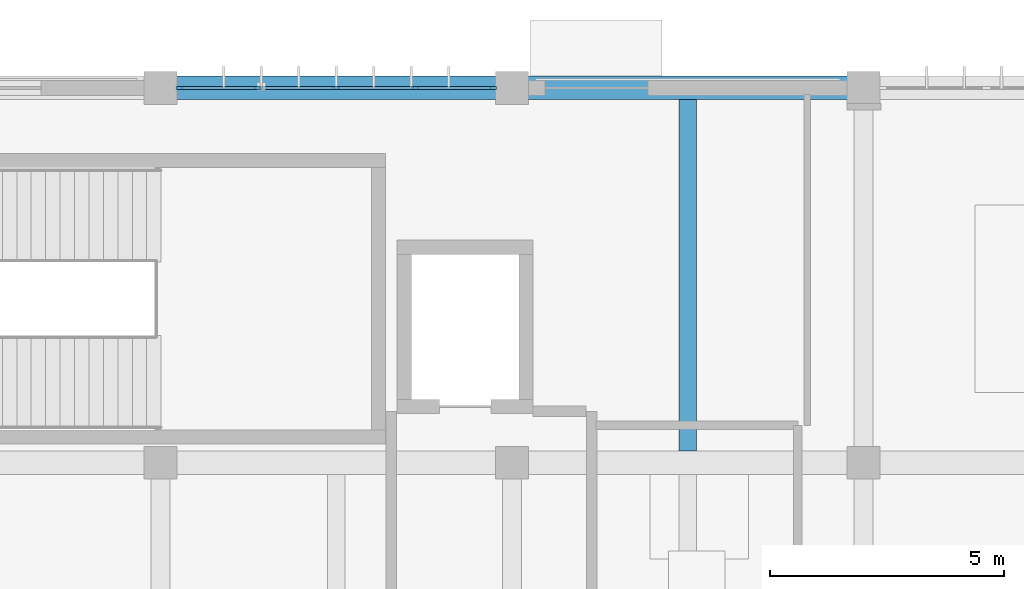
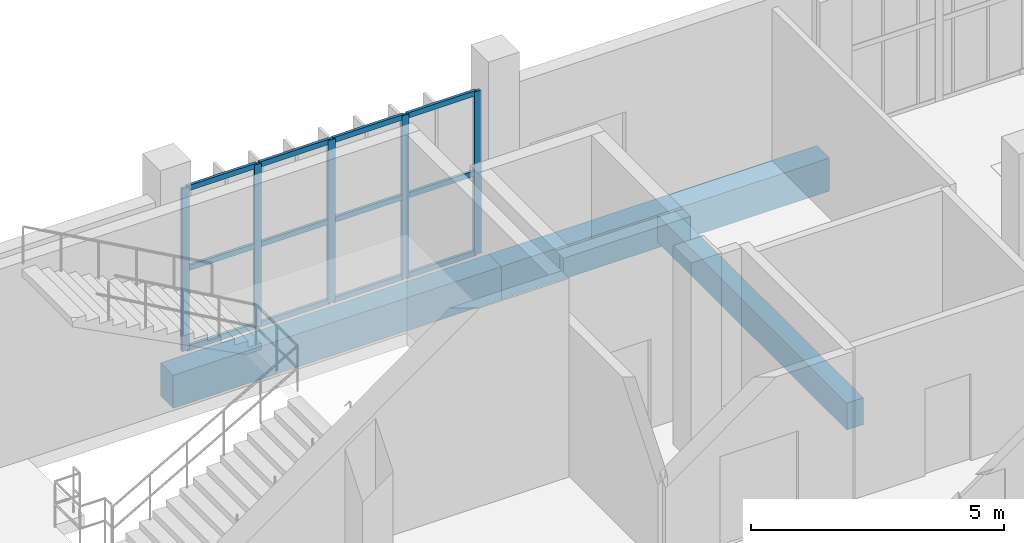
# One storey, part 15 of 72: 17 members, 3 beams, 1 element without a shape of its own.
"""IFC4 building model written with IfcOpenShell, lengths in metres."""

from ifc_helpers import new_model, si_unit, direction, frame, origin, origin_2d, place, context, subcontext, project, spatial, rectangle, extrude, material, material_profile, profile_set, type_object, element, aggregate, save


model = new_model("IFC4")

# Units and contexts
model_context = context("Model", 3, precision=1e-05, world=origin(), true_north=direction((0.0, 1.0)))
body_context = subcontext(model_context, "Body", "Model", "MODEL_VIEW")
ifc_project = project(units=[si_unit("LENGTHUNIT", "METRE"), si_unit("AREAUNIT", "SQUARE_METRE"), si_unit("VOLUMEUNIT", "CUBIC_METRE"), si_unit("PLANEANGLEUNIT", "RADIAN"), si_unit("MASSUNIT", "GRAM", prefix="KILO")], contexts=[model_context])

# Site, building, storey
site_placement = place(None, origin())
site = spatial("IfcSite", under=ifc_project, at=site_placement, CompositionType="ELEMENT")
building_placement = place(site_placement, origin())
building = spatial("IfcBuilding", under=site, at=building_placement, Name="Vourika Railside Aquatics Centre", CompositionType="ELEMENT")
storey_placement = place(building_placement, origin())
storey = spatial("IfcBuildingStorey", under=building, at=storey_placement, Name="L00", CompositionType="ELEMENT", Elevation=0.0)

# Beams
ifc_material_1 = material(Name="Concrete C35/45", Category="concrete")
ifc_material_profile_1 = material_profile(ifc_material_1, rectangle(XDim=0.3798828125, YDim=0.64990234375, at=origin_2d()), Name="RC 380x650")
ifc_profile_set_1 = profile_set([ifc_material_profile_1], Name="Concrete C35/45")
beam_type_1 = type_object("IfcBeamType", Name="BM-SEC-380x650", PredefinedType="JOIST", material=ifc_profile_set_1)
beam_placement = place(storey_placement, frame((62.25, 108.25, -0.64501953125), z_axis=(0.0, 1.0, 0.0), x_axis=(-1.0, 0.0, 0.0)))
element("IfcBeam", 1, at=beam_placement, inside=storey, type_object=beam_type_1, Name="Secondary Joist JY-L00-465", PredefinedType="JOIST", context=body_context, shape_type="SweptSolid", body=[
    extrude(rectangle(XDim=0.3798828125, YDim=0.64990234375, at=origin_2d()), origin(), (0.0, 0.0, 1.0), 7.5),
])
ifc_material_2 = material(Name="Concrete C40/50", Category="concrete")
ifc_material_profile_2 = material_profile(ifc_material_2, rectangle(XDim=0.5, YDim=0.800048828125, at=origin_2d()), Name="RC 500x800")
ifc_profile_set_2 = profile_set([ifc_material_profile_2], Name="Concrete C40/50")
beam_type_2 = type_object("IfcBeamType", Name="BM-TIE-500x800", PredefinedType="BEAM", material=ifc_profile_set_2)
for number, where, z_axis, x_axis, name in (
    (2, (51.0, 116.0, -0.719970703125), (1.0, 0.0, 0.0), (0.0, 1.0, 0.0), "Floor Beam GX-L00-177"),
    (3, (58.5, 116.0, -0.719970703125), (1.0, 0.0, 0.0), (0.0, 1.0, 0.0), "Floor Beam GX-L00-178"),
):
    element("IfcBeam", number, at=place(storey_placement, frame(where, z_axis=z_axis, x_axis=x_axis)), inside=storey, type_object=beam_type_2, Name=name, PredefinedType="BEAM", context=body_context, shape_type="SweptSolid", body=[
        extrude(rectangle(XDim=0.5, YDim=0.800048828125, at=origin_2d()), origin(), (0.0, 0.0, 1.0), 7.5),
    ])

# Curtain wall, members
ifc_material_3 = material(Name="Anodized thermally broken aluminium", Category="aluminium")
curtain_wall_type = type_object("IfcCurtainWallType", Name="CW-FIT0", PredefinedType="NOTDEFINED", material=ifc_material_3)
curtain_wall_placement = place(storey_placement, origin())
curtain_wall = element("IfcCurtainWall", 4, at=curtain_wall_placement, inside=storey, type_object=curtain_wall_type, Name="North Boulevard Curtain Wall L00-5", PredefinedType="NOTDEFINED")
ifc_material_4 = material(Name="Anodized aluminium mullion", Category="aluminium")
ifc_material_profile_3 = material_profile(ifc_material_4, rectangle(XDim=0.06494140625, YDim=0.1640625, at=origin_2d()), Name="ALU-M 65x164")
ifc_profile_set_3 = profile_set([ifc_material_profile_3], Name="Anodized aluminium mullion")
member_type_1 = type_object("IfcMemberType", Name="CWM-FIT0", PredefinedType="MULLION", material=ifc_profile_set_3)
member_1_placement = place(storey_placement, frame((58.08740234375, 116.0, 0.0), z_axis=(0.0, 0.0, 1.0), x_axis=(0.0, -1.0, 0.0)))
member_1 = element("IfcMember", 5, at=member_1_placement, type_object=member_type_1, Name="CW14 mullion 1", PredefinedType="MULLION", context=body_context, shape_type="SweptSolid", body=[
    extrude(rectangle(XDim=0.06494140625, YDim=0.1640625, at=origin_2d()), origin(), (0.0, 0.0, 1.0), 3.929931640625),
])
member_2_placement = place(storey_placement, frame((56.43505859375, 116.0, 0.0), z_axis=(0.0, 0.0, 1.0), x_axis=(0.0, -1.0, 0.0)))
member_2 = element("IfcMember", 6, at=member_2_placement, type_object=member_type_1, Name="CW14 mullion 2", PredefinedType="MULLION", context=body_context, shape_type="SweptSolid", body=[
    extrude(rectangle(XDim=0.06494140625, YDim=0.1640625, at=origin_2d()), origin(), (0.0, 0.0, 1.0), 3.929931640625),
])
member_3_placement = place(storey_placement, frame((54.75, 116.0, 0.0), z_axis=(0.0, 0.0, 1.0), x_axis=(0.0, -1.0, 0.0)))
member_3 = element("IfcMember", 7, at=member_3_placement, type_object=member_type_1, Name="CW14 mullion 3", PredefinedType="MULLION", context=body_context, shape_type="SweptSolid", body=[
    extrude(rectangle(XDim=0.06494140625, YDim=0.1640625, at=origin_2d()), origin(), (0.0, 0.0, 1.0), 3.929931640625),
])
member_4_placement = place(storey_placement, frame((53.06494140625, 116.0, 0.0), z_axis=(0.0, 0.0, 1.0), x_axis=(0.0, -1.0, 0.0)))
member_4 = element("IfcMember", 8, at=member_4_placement, type_object=member_type_1, Name="CW14 mullion 4", PredefinedType="MULLION", context=body_context, shape_type="SweptSolid", body=[
    extrude(rectangle(XDim=0.06494140625, YDim=0.1640625, at=origin_2d()), origin(), (0.0, 0.0, 1.0), 3.929931640625),
])
member_5_placement = place(storey_placement, frame((51.41259765625, 116.0, 0.0), z_axis=(0.0, 0.0, 1.0), x_axis=(0.0, -1.0, 0.0)))
member_5 = element("IfcMember", 9, at=member_5_placement, type_object=member_type_1, Name="CW14 mullion 5", PredefinedType="MULLION", context=body_context, shape_type="SweptSolid", body=[
    extrude(rectangle(XDim=0.06494140625, YDim=0.1640625, at=origin_2d()), origin(), (0.0, 0.0, 1.0), 3.929931640625),
])
ifc_material_5 = material(Name="Anodized aluminium transom", Category="aluminium")
ifc_material_profile_4 = material_profile(ifc_material_5, rectangle(XDim=0.06494140625, YDim=0.1279296875, at=origin_2d()), Name="ALU-T 65x128")
ifc_profile_set_4 = profile_set([ifc_material_profile_4], Name="Anodized aluminium transom")
member_type_2 = type_object("IfcMemberType", Name="CWT-FIT0", PredefinedType="USERDEFINED", material=ifc_profile_set_4)
member_6_placement = place(storey_placement, frame((58.054931640625, 116.0, 0.032470703125), z_axis=(-1.0, 0.0, 0.0), x_axis=(0.0, -1.0, 0.0)))
member_6 = element("IfcMember", 10, at=member_6_placement, type_object=member_type_2, Name="CW14 transom 1.1", ObjectType="TRANSOM", PredefinedType="USERDEFINED", context=body_context, shape_type="SweptSolid", body=[
    extrude(rectangle(XDim=0.06494140625, YDim=0.1279296875, at=origin_2d()), origin(), (0.0, 0.0, 1.0), 1.58740234375),
])
member_7_placement = place(storey_placement, frame((58.054931640625, 116.0, 1.965087890625), z_axis=(-1.0, 0.0, 0.0), x_axis=(0.0, -1.0, 0.0)))
member_7 = element("IfcMember", 11, at=member_7_placement, type_object=member_type_2, Name="CW14 transom 1.2", ObjectType="TRANSOM", PredefinedType="USERDEFINED", context=body_context, shape_type="SweptSolid", body=[
    extrude(rectangle(XDim=0.06494140625, YDim=0.1279296875, at=origin_2d()), origin(), (0.0, 0.0, 1.0), 1.58740234375),
])
member_8_placement = place(storey_placement, frame((58.054931640625, 116.0, 3.8974609375), z_axis=(-1.0, 0.0, 0.0), x_axis=(0.0, -1.0, 0.0)))
member_8 = element("IfcMember", 12, at=member_8_placement, type_object=member_type_2, Name="CW14 transom 1.3", ObjectType="TRANSOM", PredefinedType="USERDEFINED", context=body_context, shape_type="SweptSolid", body=[
    extrude(rectangle(XDim=0.06494140625, YDim=0.1279296875, at=origin_2d()), origin(), (0.0, 0.0, 1.0), 1.58740234375),
])
member_9_placement = place(storey_placement, frame((56.402587890625, 116.0, 0.032470703125), z_axis=(-1.0, 0.0, 0.0), x_axis=(0.0, -1.0, 0.0)))
member_9 = element("IfcMember", 13, at=member_9_placement, type_object=member_type_2, Name="CW14 transom 2.1", ObjectType="TRANSOM", PredefinedType="USERDEFINED", context=body_context, shape_type="SweptSolid", body=[
    extrude(rectangle(XDim=0.06494140625, YDim=0.1279296875, at=origin_2d()), origin(), (0.0, 0.0, 1.0), 1.6201171875),
])
member_10_placement = place(storey_placement, frame((56.402587890625, 116.0, 1.965087890625), z_axis=(-1.0, 0.0, 0.0), x_axis=(0.0, -1.0, 0.0)))
member_10 = element("IfcMember", 14, at=member_10_placement, type_object=member_type_2, Name="CW14 transom 2.2", ObjectType="TRANSOM", PredefinedType="USERDEFINED", context=body_context, shape_type="SweptSolid", body=[
    extrude(rectangle(XDim=0.06494140625, YDim=0.1279296875, at=origin_2d()), origin(), (0.0, 0.0, 1.0), 1.6201171875),
])
member_11_placement = place(storey_placement, frame((56.402587890625, 116.0, 3.8974609375), z_axis=(-1.0, 0.0, 0.0), x_axis=(0.0, -1.0, 0.0)))
member_11 = element("IfcMember", 15, at=member_11_placement, type_object=member_type_2, Name="CW14 transom 2.3", ObjectType="TRANSOM", PredefinedType="USERDEFINED", context=body_context, shape_type="SweptSolid", body=[
    extrude(rectangle(XDim=0.06494140625, YDim=0.1279296875, at=origin_2d()), origin(), (0.0, 0.0, 1.0), 1.6201171875),
])
member_12_placement = place(storey_placement, frame((54.717529296875, 116.0, 0.032470703125), z_axis=(-1.0, 0.0, 0.0), x_axis=(0.0, -1.0, 0.0)))
member_12 = element("IfcMember", 16, at=member_12_placement, type_object=member_type_2, Name="CW14 transom 3.1", ObjectType="TRANSOM", PredefinedType="USERDEFINED", context=body_context, shape_type="SweptSolid", body=[
    extrude(rectangle(XDim=0.06494140625, YDim=0.1279296875, at=origin_2d()), origin(), (0.0, 0.0, 1.0), 1.6201171875),
])
member_13_placement = place(storey_placement, frame((54.717529296875, 116.0, 1.965087890625), z_axis=(-1.0, 0.0, 0.0), x_axis=(0.0, -1.0, 0.0)))
member_13 = element("IfcMember", 17, at=member_13_placement, type_object=member_type_2, Name="CW14 transom 3.2", ObjectType="TRANSOM", PredefinedType="USERDEFINED", context=body_context, shape_type="SweptSolid", body=[
    extrude(rectangle(XDim=0.06494140625, YDim=0.1279296875, at=origin_2d()), origin(), (0.0, 0.0, 1.0), 1.6201171875),
])
member_14_placement = place(storey_placement, frame((54.717529296875, 116.0, 3.8974609375), z_axis=(-1.0, 0.0, 0.0), x_axis=(0.0, -1.0, 0.0)))
member_14 = element("IfcMember", 18, at=member_14_placement, type_object=member_type_2, Name="CW14 transom 3.3", ObjectType="TRANSOM", PredefinedType="USERDEFINED", context=body_context, shape_type="SweptSolid", body=[
    extrude(rectangle(XDim=0.06494140625, YDim=0.1279296875, at=origin_2d()), origin(), (0.0, 0.0, 1.0), 1.6201171875),
])
member_15_placement = place(storey_placement, frame((53.032470703125, 116.0, 0.032470703125), z_axis=(-1.0, 0.0, 0.0), x_axis=(0.0, -1.0, 0.0)))
member_15 = element("IfcMember", 19, at=member_15_placement, type_object=member_type_2, Name="CW14 transom 4.1", ObjectType="TRANSOM", PredefinedType="USERDEFINED", context=body_context, shape_type="SweptSolid", body=[
    extrude(rectangle(XDim=0.06494140625, YDim=0.1279296875, at=origin_2d()), origin(), (0.0, 0.0, 1.0), 1.58740234375),
])
member_16_placement = place(storey_placement, frame((53.032470703125, 116.0, 1.965087890625), z_axis=(-1.0, 0.0, 0.0), x_axis=(0.0, -1.0, 0.0)))
member_16 = element("IfcMember", 20, at=member_16_placement, type_object=member_type_2, Name="CW14 transom 4.2", ObjectType="TRANSOM", PredefinedType="USERDEFINED", context=body_context, shape_type="SweptSolid", body=[
    extrude(rectangle(XDim=0.06494140625, YDim=0.1279296875, at=origin_2d()), origin(), (0.0, 0.0, 1.0), 1.58740234375),
])
member_17_placement = place(storey_placement, frame((53.032470703125, 116.0, 3.8974609375), z_axis=(-1.0, 0.0, 0.0), x_axis=(0.0, -1.0, 0.0)))
member_17 = element("IfcMember", 21, at=member_17_placement, type_object=member_type_2, Name="CW14 transom 4.3", ObjectType="TRANSOM", PredefinedType="USERDEFINED", context=body_context, shape_type="SweptSolid", body=[
    extrude(rectangle(XDim=0.06494140625, YDim=0.1279296875, at=origin_2d()), origin(), (0.0, 0.0, 1.0), 1.58740234375),
])
aggregate(curtain_wall, [member_1, member_2, member_3, member_4, member_5, member_6, member_7, member_8, member_9, member_10, member_11, member_12, member_13, member_14, member_15, member_16, member_17])

save(model, "model.ifc")
